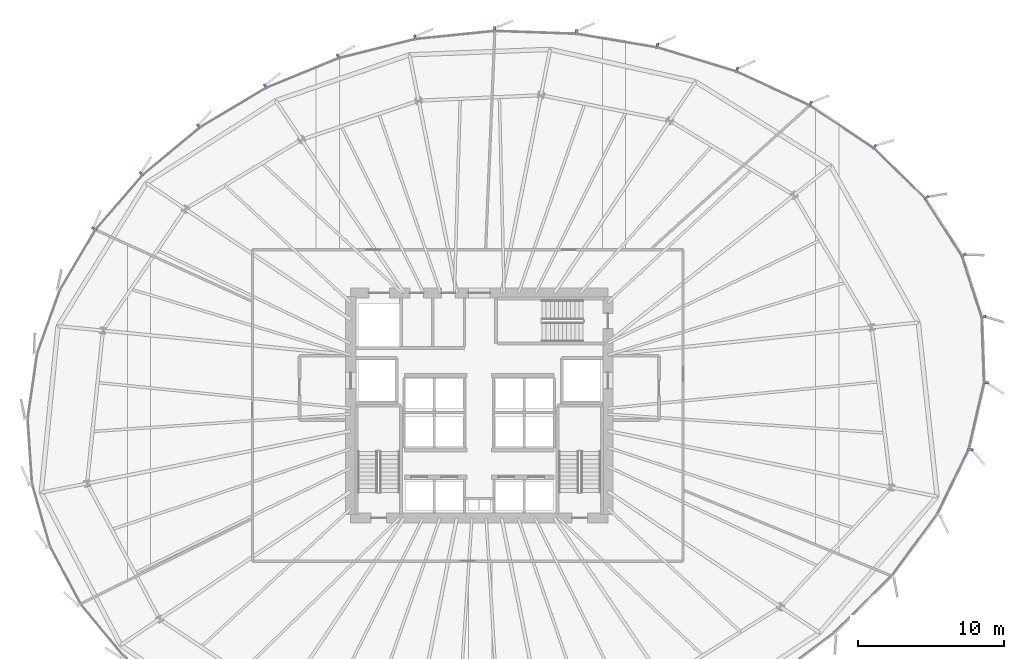
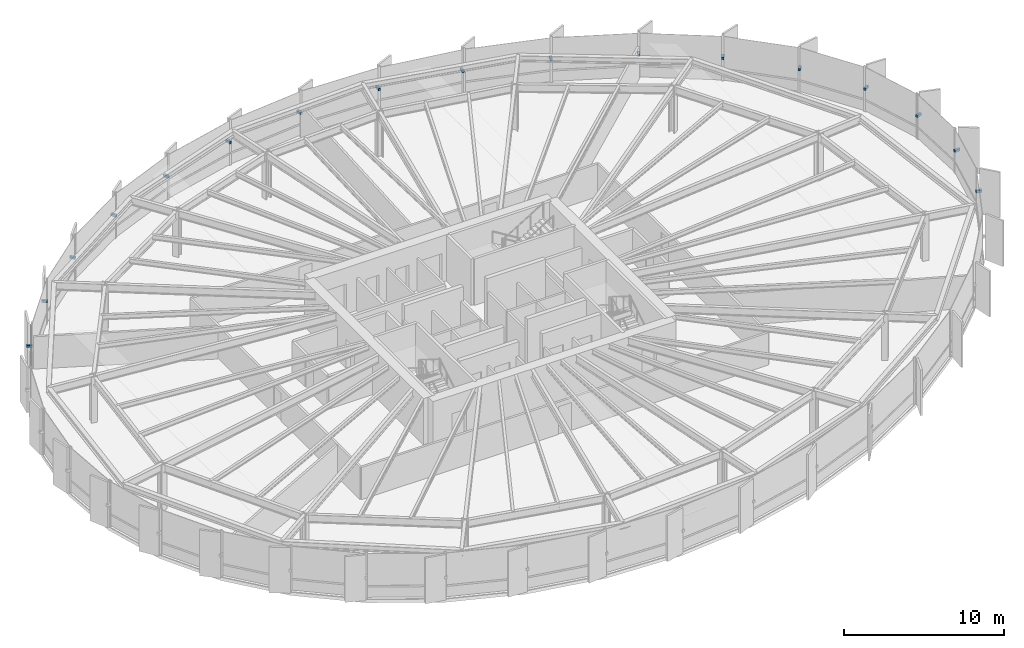
# One storey, part 31 of 35: 17 discrete accessories.
"""IFC4 building model written with IfcOpenShell, lengths in metres."""

from ifc_helpers import new_model, si_unit, direction, frame, origin, origin_2d, place, context, subcontext, project, spatial, rectangle, extrude, source, transform, mapped, material, type_object, element, save


model = new_model("IFC4")

# Units and contexts
model_context = context("Model", 3, precision=1e-05, world=origin(), true_north=direction((0.0, 1.0)))
body_context = subcontext(model_context, "Body", "Model", "MODEL_VIEW")
ifc_project = project(units=[si_unit("LENGTHUNIT", "METRE"), si_unit("AREAUNIT", "SQUARE_METRE"), si_unit("VOLUMEUNIT", "CUBIC_METRE"), si_unit("PLANEANGLEUNIT", "RADIAN"), si_unit("MASSUNIT", "GRAM", prefix="KILO"), si_unit("THERMODYNAMICTEMPERATUREUNIT", "KELVIN")], contexts=[model_context])

# Site, building, storey
site_placement = place(None, origin())
site = spatial("IfcSite", under=ifc_project, at=site_placement, CompositionType="ELEMENT")
building_placement = place(site_placement, origin())
building = spatial("IfcBuilding", under=site, at=building_placement, Name="Kethvar Cultural Tower", CompositionType="ELEMENT")
storey_placement = place(building_placement, frame((0.0, 0.0, 71.39990234375)))
storey = spatial("IfcBuildingStorey", under=building, at=storey_placement, Name="L17", CompositionType="ELEMENT", Elevation=71.39990234375)

# Discrete accessories
ifc_material = material(Name="Steel S355J2", Category="steel")
discrete_accessory_type = type_object("IfcDiscreteAccessoryType", Name="Steel Fin Bracket BRK-01", PredefinedType="BRACKET", material=ifc_material)
shared_shape = source(origin(), body_context, "Body", "SweptSolid", [
    extrude(rectangle(XDim=0.3798828125, YDim=0.159912109375, at=origin_2d()), origin(), (0.0, 0.0, 1.0), 0.179931640625),
])
for number, where, z_axis, x_axis, name in (
    (1, (81.29638671875, 33.864501953125, 1.68017578125), (0.0, 0.0, 1.0), (0.951969200546, 0.306193796821, 0.0), "L17 Terracotta Fin Bracket 1.1"),
    (2, (79.936279296875, 38.091552734375, 1.68017578125), (0.0, 0.0, 1.0), (0.840661136611, 0.541561495485, 0.0), "L17 Terracotta Fin Bracket 1.2"),
    (3, (77.40625, 42.019287109375, 1.68017578125), (0.0, 0.0, 1.0), (0.699164374023, 0.714960962638, 0.0), "L17 Terracotta Fin Bracket 1.3"),
    (4, (73.84912109375, 45.498046875, 1.68017578125), (0.0, 0.0, 1.0), (0.555425105735, 0.831566564936, 0.0), "L17 Terracotta Fin Bracket 1.4"),
    (5, (69.451171875, 48.435302734375, 1.68017578125), (0.0, 0.0, 1.0), (0.419927336103, 0.90755772951, 0.0), "L17 Terracotta Fin Bracket 1.5"),
    (6, (64.431884765625, 50.75732421875, 1.68017578125), (0.0, 0.0, 1.0), (0.291704006862, 0.956508636856, 0.0), "L17 Terracotta Fin Bracket 1.6"),
    (7, (58.979248046875, 52.413818359375, 1.68017578125), (0.0, 0.0, 1.0), (0.165219742657, 0.986256780274, 0.0), "L17 Terracotta Fin Bracket 2.1"),
    (8, (53.433837890625, 53.343017578125, 1.68017578125), (0.0, 0.0, 1.0), (0.035248347778, 0.99937858391, 0.0), "L17 Terracotta Fin Bracket 2.2"),
    (9, (47.852294921875, 53.539306640625, 1.68017578125), (0.0, 0.0, 1.0), (-0.101577201628, 0.994827659502, 0.0), "L17 Terracotta Fin Bracket 2.3"),
    (10, (42.404052734375, 52.982666015625, 1.68017578125), (0.0, 0.0, 1.0), (-0.2419218956, 0.970295726276, 0.0), "L17 Terracotta Fin Bracket 2.4"),
    (11, (37.13720703125, 51.669189453125, 1.68017578125), (0.0, 0.0, 1.0), (-0.379294674192, 0.925275931887, 0.0), "L17 Terracotta Fin Bracket 2.5"),
    (12, (32.1640625, 49.63037109375, 1.68017578125), (0.0, 0.0, 1.0), (-0.512342667236, 0.858781107925, 0.0), "L17 Terracotta Fin Bracket 2.6"),
    (13, (27.602783203125, 46.9013671875, 1.68017578125), (0.0, 0.0, 1.0), (-0.639573180455, 0.768730217204, 0.0), "L17 Terracotta Fin Bracket 3.1"),
    (14, (23.688720703125, 43.6455078125, 1.68017578125), (0.0, 0.0, 1.0), (-0.757451044777, 0.652891962553, 0.0), "L17 Terracotta Fin Bracket 3.2"),
    (15, (20.4443359375, 39.880615234375, 1.68017578125), (0.0, 0.0, 1.0), (-0.860742027004, 0.50904141575, 0.0), "L17 Terracotta Fin Bracket 3.3"),
    (16, (80.414306640625, 24.790771484375, 1.68017578125), (0.0, 0.0, 1.0), (0.97440931131, -0.224780991261, 0.0), "L17 Terracotta Fin Bracket 6.5"),
    (17, (81.4638671875, 29.343994140625, 1.68017578125), (0.0, 0.0, 1.0), (0.999408963358, 0.034376212129, 0.0), "L17 Terracotta Fin Bracket 6.6"),
):
    element("IfcDiscreteAccessory", number, at=place(storey_placement, frame(where, z_axis=z_axis, x_axis=x_axis)), inside=storey, type_object=discrete_accessory_type, Name=name, PredefinedType="BRACKET", context=body_context, shape_type="MappedRepresentation", body=[
        mapped(shared_shape, transform((0.0, 0.0, 0.0), scale=1.0)),
    ])

save(model, "model.ifc")
